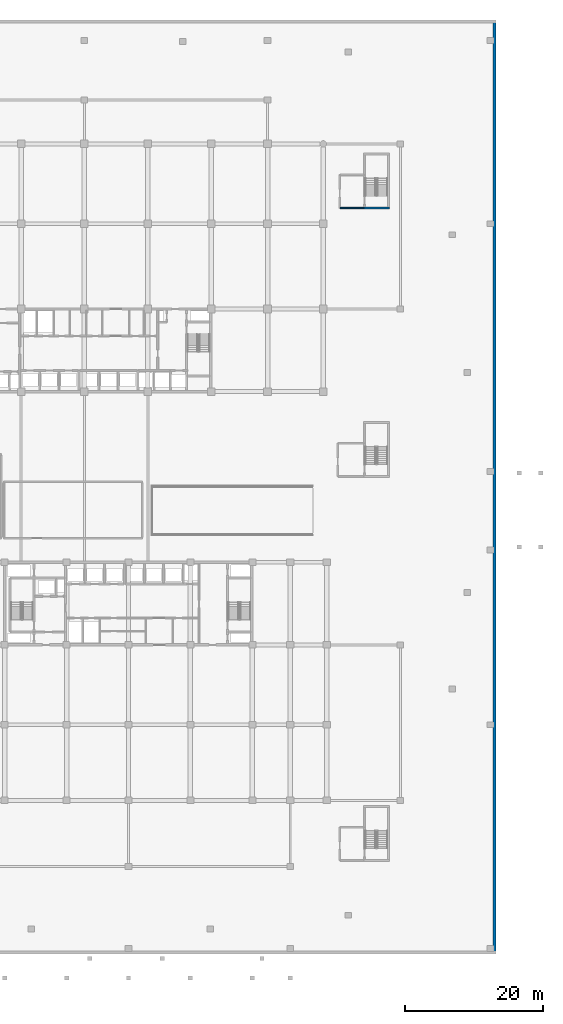
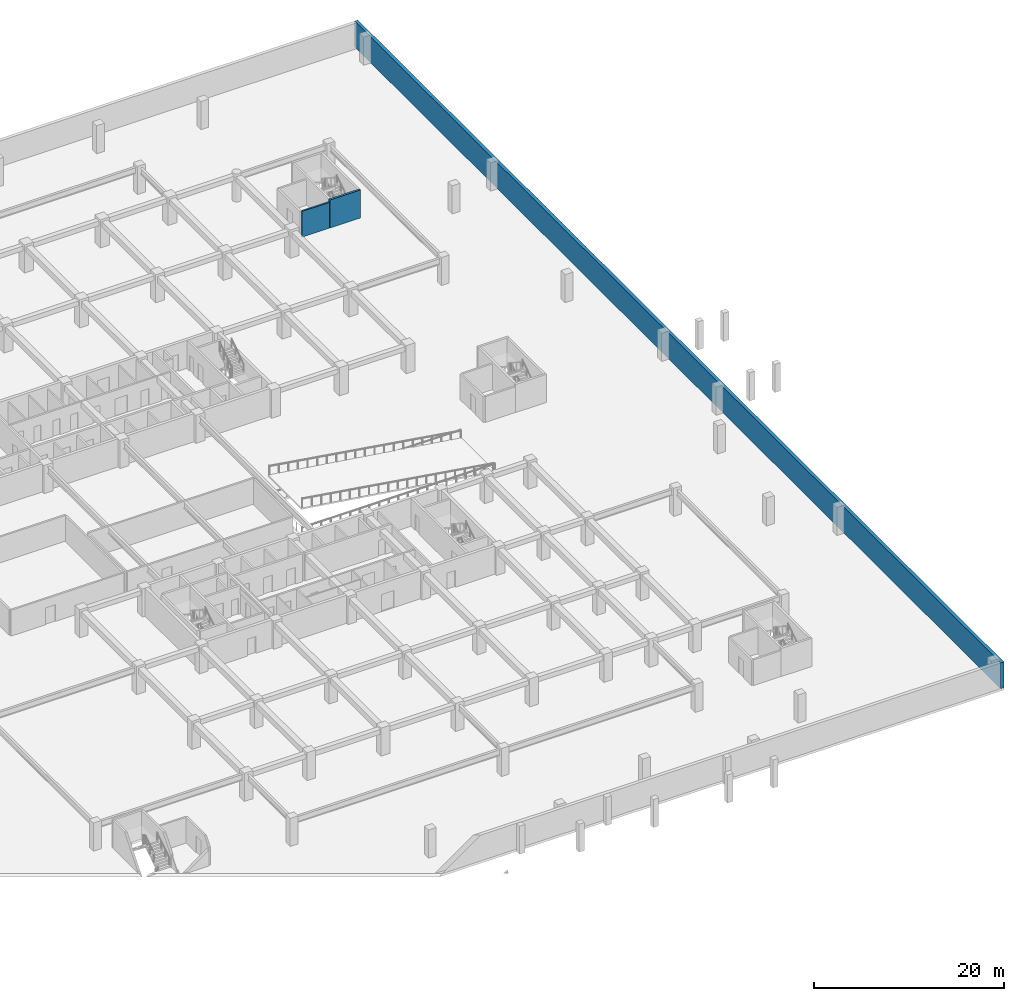
# One storey, part 12 of 22: 3 walls.
"""IFC4 building model written with IfcOpenShell, lengths in metres."""

from ifc_helpers import new_model, si_unit, direction, frame, frame_2d, origin, place, context, subcontext, project, spatial, rectangle, extrude, material, layer, layer_set, type_object, element, save


model = new_model("IFC4")

# Units and contexts
model_context = context("Model", 3, precision=1e-05, world=origin(), true_north=direction((0.0, 1.0)))
body_context = subcontext(model_context, "Body", "Model", "MODEL_VIEW")
ifc_project = project(units=[si_unit("LENGTHUNIT", "METRE"), si_unit("AREAUNIT", "SQUARE_METRE"), si_unit("VOLUMEUNIT", "CUBIC_METRE"), si_unit("PLANEANGLEUNIT", "RADIAN"), si_unit("MASSUNIT", "GRAM", prefix="KILO")], contexts=[model_context])

# Site, building, storey
site_placement = place(None, origin())
site = spatial("IfcSite", under=ifc_project, at=site_placement, CompositionType="ELEMENT")
building_placement = place(site_placement, origin())
building = spatial("IfcBuilding", under=site, at=building_placement, Name="Korimba Cascade Residences", CompositionType="ELEMENT")
storey_placement = place(building_placement, frame((0.0, 0.0, -7.199951171875)))
storey = spatial("IfcBuildingStorey", under=building, at=storey_placement, Name="B02", CompositionType="ELEMENT", Elevation=-7.199951171875)

# Walls
ifc_material_1 = material(Name="Concrete C50/60", Category="concrete")
ifc_layer_1 = layer(ifc_material_1, 0.39990234375)
ifc_layer_set_1 = layer_set([ifc_layer_1], Name="Concrete C50/60")
wall_type_1 = type_object("IfcWallType", Name="EW-RET-400", PredefinedType="USERDEFINED", material=ifc_layer_set_1)
wall_1_placement = place(storey_placement, frame((153.300048828125, -26.5, 0.0), z_axis=(0.0, 0.0, 1.0), x_axis=(0.0, 1.0, 0.0)))
element("IfcWall", 1, at=wall_1_placement, inside=storey, type_object=wall_type_1, Name="B02 Basement Retaining Wall E", ObjectType="RETAININGWALL", PredefinedType="USERDEFINED", context=body_context, shape_type="SweptSolid", body=[
    extrude(rectangle(XDim=135.699951171875, YDim=0.39990234375, at=frame_2d((67.85009765625, 0.0))), origin(), (0.0, 0.0, 1.0), 3.300048828125),
])
ifc_material_2 = material(Name="Concrete C40/50", Category="concrete")
ifc_layer_2 = layer(ifc_material_2, 0.199951171875)
ifc_layer_set_2 = layer_set([ifc_layer_2], Name="Concrete C40/50")
wall_type_2 = type_object("IfcWallType", Name="WAL-PART-200", PredefinedType="PARTITIONING", material=ifc_layer_set_2)
wall_2_placement = place(storey_placement, frame((130.89990234375, 81.875, 0.0), z_axis=(0.0, 0.0, 1.0), x_axis=(1.0, 0.0, 0.0)))
element("IfcWall", 2, at=wall_2_placement, inside=storey, type_object=wall_type_2, Name="B02 Partition Wall CW-B02-PL4S", PredefinedType="PARTITIONING", context=body_context, shape_type="SweptSolid", body=[
    extrude(rectangle(XDim=3.35009765625, YDim=0.199951171875, at=frame_2d((1.675048828125, 0.0))), origin(), (0.0, 0.0, 1.0), 3.300048828125),
])
ifc_layer_3 = layer(ifc_material_1, 0.25)
ifc_layer_set_3 = layer_set([ifc_layer_3], Name="Concrete C50/60")
wall_type_3 = type_object("IfcWallType", Name="WAL-SHAFT-250", PredefinedType="SHEAR", material=ifc_layer_set_3)
wall_3_placement = place(storey_placement, frame((134.25, 81.875, 0.0), z_axis=(0.0, 0.0, 1.0), x_axis=(1.0, 0.0, 0.0)))
element("IfcWall", 3, at=wall_3_placement, inside=storey, type_object=wall_type_3, Name="B02 Core Shear Wall CW-B02-STP4S", PredefinedType="SHEAR", context=body_context, shape_type="SweptSolid", body=[
    extrude(rectangle(XDim=3.739990234375, YDim=0.25, at=frame_2d((1.8701171875, 0.0))), origin(), (0.0, 0.0, 1.0), 3.599853515625),
])

save(model, "model.ifc")
